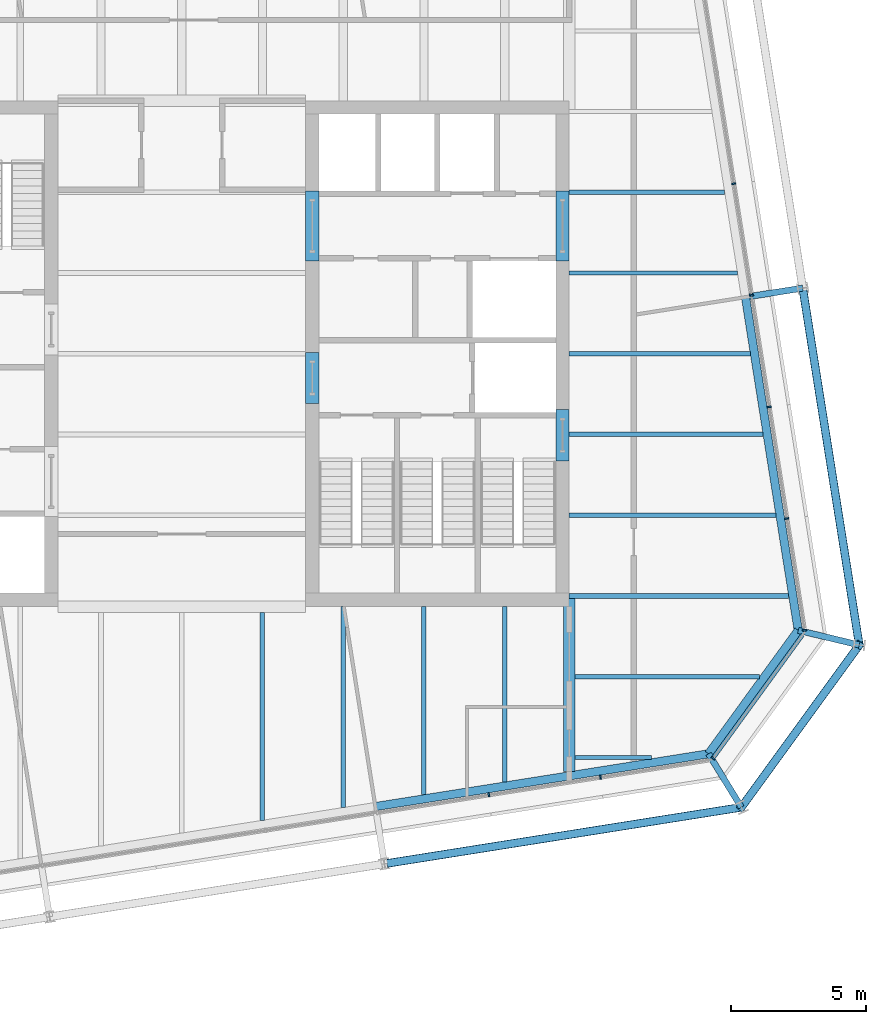
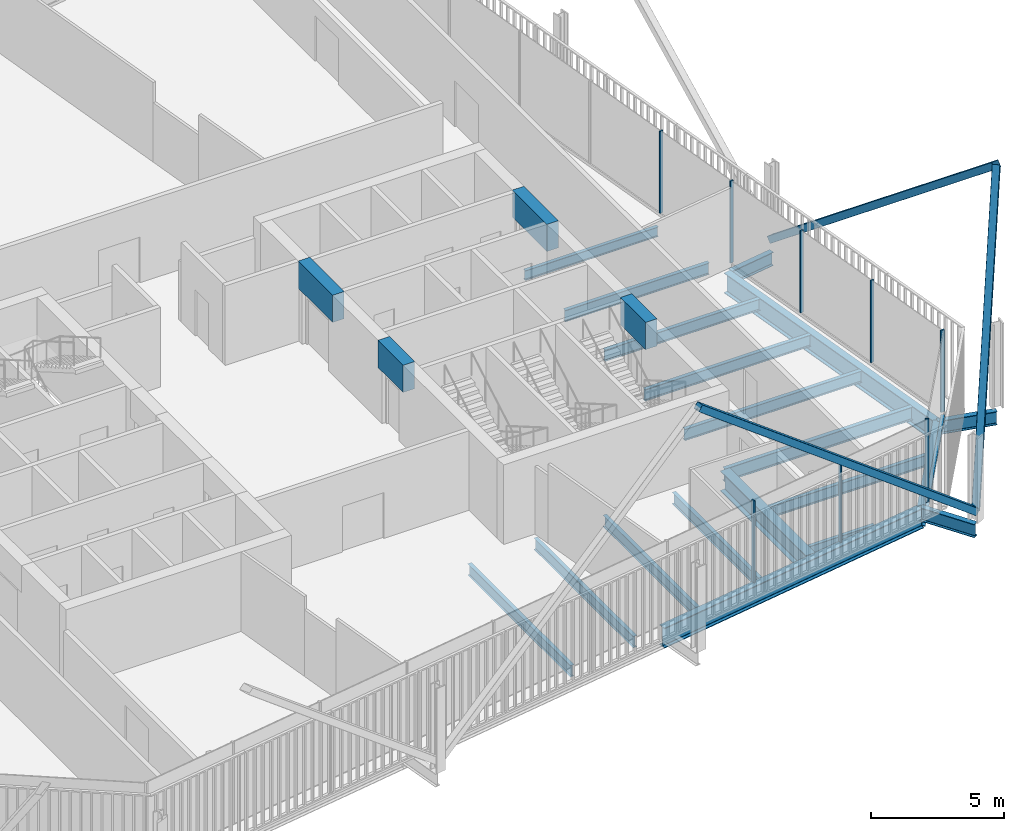
# One storey, part 9 of 21: 23 beams, 12 members, 3 elements without a shape of their own.
"""IFC4 building model written with IfcOpenShell, lengths in metres."""

from ifc_helpers import new_model, si_unit, direction, frame, origin, origin_2d, place, context, subcontext, project, spatial, rectangle, hollow_rectangle, i_section, extrude, material, layer, layer_set, material_profile, profile_set, type_object, element, aggregate, save


model = new_model("IFC4")

# Units and contexts
model_context = context("Model", 3, precision=1e-05, world=origin(), true_north=direction((0.0, 1.0)))
body_context = subcontext(model_context, "Body", "Model", "MODEL_VIEW")
ifc_project = project(units=[si_unit("LENGTHUNIT", "METRE"), si_unit("AREAUNIT", "SQUARE_METRE"), si_unit("VOLUMEUNIT", "CUBIC_METRE"), si_unit("PLANEANGLEUNIT", "RADIAN"), si_unit("MASSUNIT", "GRAM", prefix="KILO")], contexts=[model_context])

# Site, building, storey
site_placement = place(None, origin())
site = spatial("IfcSite", under=ifc_project, at=site_placement, CompositionType="ELEMENT")
building_placement = place(site_placement, origin())
building = spatial("IfcBuilding", under=site, at=building_placement, Name="Millrace Tower", CompositionType="ELEMENT")
storey_placement = place(building_placement, frame((0.0, 0.0, 235.89990234375)))
storey = spatial("IfcBuildingStorey", under=building, at=storey_placement, Name="L54", CompositionType="ELEMENT", Elevation=235.89990234375)

# Curtain wall, members
ifc_material_1 = material(Name="Aluminium and glass", Category="aluminium")
ifc_layer = layer(ifc_material_1, 0.14990234375)
ifc_layer_set = layer_set([ifc_layer], Name="Aluminium and glass")
curtain_wall_type = type_object("IfcCurtainWallType", Name="CW-1 office vision curtain wall", PredefinedType="NOTDEFINED", material=ifc_layer_set)
placement = place(storey_placement, origin())
curtain_wall_1 = element("IfcCurtainWall", 1, at=placement, inside=storey, type_object=curtain_wall_type, Name="Curtain wall D-F02 L54", PredefinedType="NOTDEFINED")
ifc_material_2 = material(Name="Aluminium", Category="aluminium")
ifc_material_profile_1 = material_profile(ifc_material_2, rectangle(XDim=0.06494140625, YDim=0.14990234375, at=origin_2d()))
ifc_profile_set_1 = profile_set([ifc_material_profile_1], Name="Aluminium")
member_type_1 = type_object("IfcMemberType", Name="CW-1 office vision curtain wall mullion", PredefinedType="MULLION", material=ifc_profile_set_1)
member_1_placement = place(storey_placement, frame((11.41259765625, -16.393310546875, 0.14013671875), z_axis=(0.0, 0.0, 1.0), x_axis=(0.987688339511, 0.156434471884, 0.0)))
member_1 = element("IfcMember", 2, at=member_1_placement, type_object=member_type_1, Name="CW1 mullion D-F02.8", PredefinedType="MULLION", context=body_context, shape_type="SweptSolid", body=[
    extrude(rectangle(XDim=0.06494140625, YDim=0.14990234375, at=origin_2d()), origin(), (0.0, 0.0, 1.0), 3.760009765625),
])
member_2_placement = place(storey_placement, frame((15.560791015625, -15.736328125, 0.14013671875), z_axis=(0.0, 0.0, 1.0), x_axis=(0.987688339511, 0.156434471884, 0.0)))
member_2 = element("IfcMember", 3, at=member_2_placement, type_object=member_type_1, Name="CW1 mullion D-F02.9", PredefinedType="MULLION", context=body_context, shape_type="SweptSolid", body=[
    extrude(rectangle(XDim=0.06494140625, YDim=0.14990234375, at=origin_2d()), origin(), (0.0, 0.0, 1.0), 3.760009765625),
])
aggregate(curtain_wall_1, [member_1, member_2])

# Curtain wall, member
curtain_wall_2 = element("IfcCurtainWall", 4, at=placement, inside=storey, type_object=curtain_wall_type, Name="Curtain wall D-F03 L54", PredefinedType="NOTDEFINED")
member_3_placement = place(storey_placement, frame((19.7451171875, -15.028076171875, 0.14013671875), z_axis=(0.0, 0.0, 1.0), x_axis=(0.587785305991, 0.809016955361, 0.0)))
member_3 = element("IfcMember", 5, at=member_3_placement, type_object=member_type_1, Name="CW1 mullion D-F03.1", PredefinedType="MULLION", context=body_context, shape_type="SweptSolid", body=[
    extrude(rectangle(XDim=0.06494140625, YDim=0.14990234375, at=origin_2d()), origin(), (0.0, 0.0, 1.0), 3.760009765625),
])

# Curtain wall, members
curtain_wall_3 = element("IfcCurtainWall", 6, at=placement, inside=storey, type_object=curtain_wall_type, Name="Curtain wall D-F04 L54", PredefinedType="NOTDEFINED")
member_4_placement = place(storey_placement, frame((23.142333984375, -10.275390625, 0.14013671875), z_axis=(0.0, 0.0, 1.0), x_axis=(-0.156434471884, 0.987688339511, 0.0)))
member_4 = element("IfcMember", 7, at=member_4_placement, type_object=member_type_1, Name="CW1 mullion D-F04.1", PredefinedType="MULLION", context=body_context, shape_type="SweptSolid", body=[
    extrude(rectangle(XDim=0.06494140625, YDim=0.14990234375, at=origin_2d()), origin(), (0.0, 0.0, 1.0), 3.760009765625),
])
member_5_placement = place(storey_placement, frame((22.4853515625, -6.127197265625, 0.14013671875), z_axis=(0.0, 0.0, 1.0), x_axis=(-0.156434471884, 0.987688339511, 0.0)))
member_5 = element("IfcMember", 8, at=member_5_placement, type_object=member_type_1, Name="CW1 mullion D-F04.2", PredefinedType="MULLION", context=body_context, shape_type="SweptSolid", body=[
    extrude(rectangle(XDim=0.06494140625, YDim=0.14990234375, at=origin_2d()), origin(), (0.0, 0.0, 1.0), 3.760009765625),
])
member_6_placement = place(storey_placement, frame((21.828369140625, -1.97900390625, 0.14013671875), z_axis=(0.0, 0.0, 1.0), x_axis=(-0.156434471884, 0.987688339511, 0.0)))
member_6 = element("IfcMember", 9, at=member_6_placement, type_object=member_type_1, Name="CW1 mullion D-F04.3", PredefinedType="MULLION", context=body_context, shape_type="SweptSolid", body=[
    extrude(rectangle(XDim=0.06494140625, YDim=0.14990234375, at=origin_2d()), origin(), (0.0, 0.0, 1.0), 3.760009765625),
])
member_7_placement = place(storey_placement, frame((21.17138671875, 2.16943359375, 0.14013671875), z_axis=(0.0, 0.0, 1.0), x_axis=(-0.156434471884, 0.987688339511, 0.0)))
member_7 = element("IfcMember", 10, at=member_7_placement, type_object=member_type_1, Name="CW1 mullion D-F04.4", PredefinedType="MULLION", context=body_context, shape_type="SweptSolid", body=[
    extrude(rectangle(XDim=0.06494140625, YDim=0.14990234375, at=origin_2d()), origin(), (0.0, 0.0, 1.0), 3.760009765625),
])
member_8_placement = place(storey_placement, frame((20.514404296875, 6.317626953125, 0.14013671875), z_axis=(0.0, 0.0, 1.0), x_axis=(-0.156434471884, 0.987688339511, 0.0)))
member_8 = element("IfcMember", 11, at=member_8_placement, type_object=member_type_1, Name="CW1 mullion D-F04.5", PredefinedType="MULLION", context=body_context, shape_type="SweptSolid", body=[
    extrude(rectangle(XDim=0.06494140625, YDim=0.14990234375, at=origin_2d()), origin(), (0.0, 0.0, 1.0), 3.760009765625),
])
aggregate(curtain_wall_3, [member_4, member_5, member_6, member_7, member_8])

# Member
ifc_material_3 = material(Name="Aluminium", Category="aluminium")
ifc_material_profile_2 = material_profile(ifc_material_3, rectangle(XDim=0.14990234375, YDim=0.139892578125, at=origin_2d()))
ifc_profile_set_2 = profile_set([ifc_material_profile_2], Name="Aluminium")
member_type_2 = type_object("IfcMemberType", Name="CW-1 office vision curtain wall transom", PredefinedType="USERDEFINED", material=ifc_profile_set_2)
member_9_placement = place(storey_placement, frame((19.78466796875, -14.973388671875, 0.070068359375), z_axis=(0.587811213399, 0.808998131891, 0.0), x_axis=(-0.808998131891, 0.587811213399, 0.0)))
member_9 = element("IfcMember", 12, at=member_9_placement, type_object=member_type_2, Name="CW1 transom D-F03.1", ObjectType="TRANSOM", PredefinedType="USERDEFINED", context=body_context, shape_type="SweptSolid", body=[
    extrude(rectangle(XDim=0.14990234375, YDim=0.139892578125, at=origin_2d()), origin(), (0.0, 0.0, 1.0), 5.598388671875),
])

aggregate(curtain_wall_2, [member_3, member_9])

# Beams
ifc_material_4 = material(Name="Concrete C60", Category="concrete")
ifc_material_profile_3 = material_profile(ifc_material_4, rectangle(XDim=0.5, YDim=1.25, at=origin_2d()))
ifc_profile_set_3 = profile_set([ifc_material_profile_3], Name="Concrete C60")
beam_type_1 = type_object("IfcBeamType", Name="Coupling beam 500 x 1250 Concrete C60, 1300 opening", PredefinedType="BEAM", material=ifc_profile_set_3)
beam_1_placement = place(storey_placement, frame((14.14990234375, -2.080078125, 3.025146484375), z_axis=(0.0, -1.0, 0.0), x_axis=(1.0, 0.0, 0.0)))
element("IfcBeam", 13, at=beam_1_placement, inside=storey, type_object=beam_type_1, Name="Coupling beam E L54", PredefinedType="BEAM", context=body_context, shape_type="SweptSolid", body=[
    extrude(rectangle(XDim=0.5, YDim=1.25, at=origin_2d()), origin(), (0.0, 0.0, 1.0), 1.89990234375),
])
beam_2_placement = place(storey_placement, frame((4.85009765625, 0.050048828125, 3.025146484375), z_axis=(0.0, -1.0, 0.0), x_axis=(1.0, 0.0, 0.0)))
element("IfcBeam", 14, at=beam_2_placement, inside=storey, type_object=beam_type_1, Name="Coupling beam E L54", PredefinedType="BEAM", context=body_context, shape_type="SweptSolid", body=[
    extrude(rectangle(XDim=0.5, YDim=1.25, at=origin_2d()), origin(), (0.0, 0.0, 1.0), 1.900146484375),
])
ifc_material_5 = material(Name="Concrete C60", Category="concrete")
ifc_material_profile_4 = material_profile(ifc_material_5, rectangle(XDim=0.5, YDim=1.25, at=origin_2d()))
ifc_profile_set_4 = profile_set([ifc_material_profile_4], Name="Concrete C60")
beam_type_2 = type_object("IfcBeamType", Name="Coupling beam 500 x 1250 Concrete C60, 2000 opening", PredefinedType="BEAM", material=ifc_profile_set_4)
for number, where, z_axis, x_axis, name in (
    (15, (14.14990234375, 6.050048828125, 3.025146484375), (0.0, -1.0, 0.0), (1.0, 0.0, 0.0), "Coupling beam E L54"),
    (16, (4.85009765625, 6.050048828125, 3.025146484375), (0.0, -1.0, 0.0), (1.0, 0.0, 0.0), "Coupling beam E L54"),
):
    element("IfcBeam", number, at=place(storey_placement, frame(where, z_axis=z_axis, x_axis=x_axis)), inside=storey, type_object=beam_type_2, Name=name, PredefinedType="BEAM", context=body_context, shape_type="SweptSolid", body=[
        extrude(rectangle(XDim=0.5, YDim=1.25, at=origin_2d()), origin(), (0.0, 0.0, 1.0), 2.60009765625),
    ])

# Members
ifc_material_6 = material(Name="Steel ASTM A500 Grade C", Category="steel")
ifc_material_profile_5 = material_profile(ifc_material_6, hollow_rectangle(XDim=0.3046875, YDim=0.3046875, WallThickness=0.009521484375, InnerFilletRadius=0.004638671875, OuterFilletRadius=0.014404296875, at=origin_2d()))
ifc_profile_set_5 = profile_set([ifc_material_profile_5], Name="Steel ASTM A500 Grade C")
member_type_3 = type_object("IfcMemberType", Name="Exoskeleton brace HSS12x12x3/8", PredefinedType="BRACE", material=ifc_profile_set_5)
member_10_placement = place(storey_placement, frame((20.79638671875, -16.85595703125, 0.400146484375), z_axis=(-0.772455331995, -0.122353534805, 0.623171222533), x_axis=(0.156445228811, -0.987686635721, 0.0)))
element("IfcMember", 17, at=member_10_placement, inside=storey, type_object=member_type_3, Name="BRC-D-L54-04", PredefinedType="BRACE", context=body_context, shape_type="SweptSolid", body=[
    extrude(hollow_rectangle(XDim=0.3046875, YDim=0.3046875, WallThickness=0.009521484375, InnerFilletRadius=0.004638671875, OuterFilletRadius=0.014404296875, at=origin_2d()), origin(), (0.0, 0.0, 1.0), 17.170166015625),
])
member_11_placement = place(storey_placement, frame((20.79638671875, -16.85595703125, 0.400146484375), z_axis=(0.336023439139, 0.462483873223, 0.820485780107), x_axis=(-0.809009310944, 0.587795827483, 0.0)))
element("IfcMember", 18, at=member_11_placement, inside=storey, type_object=member_type_3, Name="BRC-D-L54-05", PredefinedType="BRACE", context=body_context, shape_type="SweptSolid", body=[
    extrude(hollow_rectangle(XDim=0.3046875, YDim=0.3046875, WallThickness=0.009521484375, InnerFilletRadius=0.004638671875, OuterFilletRadius=0.014404296875, at=origin_2d()), origin(), (0.0, 0.0, 1.0), 13.041015625),
])
member_12_placement = place(storey_placement, frame((23.07763671875, 2.4384765625, 0.400146484375), z_axis=(0.122353534805, -0.772455331995, 0.623171222533), x_axis=(0.987686635721, 0.156445228811, 0.0)))
element("IfcMember", 19, at=member_12_placement, inside=storey, type_object=member_type_3, Name="BRC-D-L54-06", PredefinedType="BRACE", context=body_context, shape_type="SweptSolid", body=[
    extrude(hollow_rectangle(XDim=0.3046875, YDim=0.3046875, WallThickness=0.009521484375, InnerFilletRadius=0.004638671875, OuterFilletRadius=0.014404296875, at=origin_2d()), origin(), (0.0, 0.0, 1.0), 17.170166015625),
])

# Beams
ifc_material_7 = material(Name="Steel ASTM A992 Grade 50", Category="steel")
ifc_material_profile_6 = material_profile(ifc_material_7, i_section(OverallWidth=0.15234375, OverallDepth=0.449462890625, WebThickness=0.007568359375, FlangeThickness=0.0107421875, FilletRadius=0.01025390625, at=origin_2d()))
ifc_profile_set_6 = profile_set([ifc_material_profile_6], Name="Steel ASTM A992 Grade 50")
beam_type_3 = type_object("IfcBeamType", Name="Floor beam W18x35", PredefinedType="JOIST", material=ifc_profile_set_6)
beam_3_placement = place(storey_placement, frame((14.39990234375, 6.0, -0.384765625), z_axis=(1.0, 0.0, 0.0), x_axis=(0.0, 1.0, 0.0)))
element("IfcBeam", 20, at=beam_3_placement, inside=storey, type_object=beam_type_3, Name="BM-D-L54-S1-S022", PredefinedType="JOIST", context=body_context, shape_type="SweptSolid", body=[
    extrude(i_section(OverallWidth=0.15234375, OverallDepth=0.449462890625, WebThickness=0.007568359375, FlangeThickness=0.0107421875, FilletRadius=0.01025390625, at=origin_2d()), origin(), (0.0, 0.0, 1.0), 5.777587890625),
])
beam_4_placement = place(storey_placement, frame((14.609619140625, -15.0, -0.384765625), z_axis=(1.0, 0.0, 0.0), x_axis=(0.0, 1.0, 0.0)))
element("IfcBeam", 21, at=beam_4_placement, inside=storey, type_object=beam_type_3, Name="BM-D-L54-S1-S003", PredefinedType="JOIST", context=body_context, shape_type="SweptSolid", body=[
    extrude(i_section(OverallWidth=0.15234375, OverallDepth=0.449462890625, WebThickness=0.007568359375, FlangeThickness=0.0107421875, FilletRadius=0.01025390625, at=origin_2d()), origin(), (0.0, 0.0, 1.0), 2.839599609375),
])
ifc_material_8 = material(Name="Steel ASTM A992 Grade 50", Category="steel")
ifc_material_profile_7 = material_profile(ifc_material_8, i_section(OverallWidth=0.1650390625, OverallDepth=0.52587890625, WebThickness=0.0087890625, FlangeThickness=0.011474609375, FilletRadius=0.0126953125, at=origin_2d()))
ifc_profile_set_7 = profile_set([ifc_material_profile_7], Name="Steel ASTM A992 Grade 50")
beam_type_4 = type_object("IfcBeamType", Name="Floor beam W21x44", PredefinedType="JOIST", material=ifc_profile_set_7)
beam_5_placement = place(storey_placement, frame((14.609619140625, -12.0, -0.4228515625), z_axis=(1.0, 0.0, 0.0), x_axis=(0.0, 1.0, 0.0)))
element("IfcBeam", 22, at=beam_5_placement, inside=storey, type_object=beam_type_4, Name="BM-D-L54-S1-S005", PredefinedType="JOIST", context=body_context, shape_type="SweptSolid", body=[
    extrude(i_section(OverallWidth=0.1650390625, OverallDepth=0.52587890625, WebThickness=0.0087890625, FlangeThickness=0.011474609375, FilletRadius=0.0126953125, at=origin_2d()), origin(), (0.0, 0.0, 1.0), 6.86279296875),
])
beam_6_placement = place(storey_placement, frame((14.39990234375, -6.0, -0.4228515625), z_axis=(1.0, 0.0, 0.0), x_axis=(0.0, 1.0, 0.0)))
element("IfcBeam", 23, at=beam_6_placement, inside=storey, type_object=beam_type_4, Name="BM-D-L54-S1-S010", PredefinedType="JOIST", context=body_context, shape_type="SweptSolid", body=[
    extrude(i_section(OverallWidth=0.1650390625, OverallDepth=0.52587890625, WebThickness=0.0087890625, FlangeThickness=0.011474609375, FilletRadius=0.0126953125, at=origin_2d()), origin(), (0.0, 0.0, 1.0), 7.67822265625),
])
beam_7_placement = place(storey_placement, frame((14.39990234375, -3.0, -0.4228515625), z_axis=(1.0, 0.0, 0.0), x_axis=(0.0, 1.0, 0.0)))
element("IfcBeam", 24, at=beam_7_placement, inside=storey, type_object=beam_type_4, Name="BM-D-L54-S1-S013", PredefinedType="JOIST", context=body_context, shape_type="SweptSolid", body=[
    extrude(i_section(OverallWidth=0.1650390625, OverallDepth=0.52587890625, WebThickness=0.0087890625, FlangeThickness=0.011474609375, FilletRadius=0.0126953125, at=origin_2d()), origin(), (0.0, 0.0, 1.0), 7.203125),
])
beam_8_placement = place(storey_placement, frame((14.39990234375, 0.0, -0.4228515625), z_axis=(1.0, 0.0, 0.0), x_axis=(0.0, 1.0, 0.0)))
element("IfcBeam", 25, at=beam_8_placement, inside=storey, type_object=beam_type_4, Name="BM-D-L54-S1-S016", PredefinedType="JOIST", context=body_context, shape_type="SweptSolid", body=[
    extrude(i_section(OverallWidth=0.1650390625, OverallDepth=0.52587890625, WebThickness=0.0087890625, FlangeThickness=0.011474609375, FilletRadius=0.0126953125, at=origin_2d()), origin(), (0.0, 0.0, 1.0), 6.72802734375),
])
beam_9_placement = place(storey_placement, frame((14.39990234375, 3.0, -0.4228515625), z_axis=(1.0, 0.0, 0.0), x_axis=(0.0, 1.0, 0.0)))
element("IfcBeam", 26, at=beam_9_placement, inside=storey, type_object=beam_type_4, Name="BM-D-L54-S1-S019", PredefinedType="JOIST", context=body_context, shape_type="SweptSolid", body=[
    extrude(i_section(OverallWidth=0.1650390625, OverallDepth=0.52587890625, WebThickness=0.0087890625, FlangeThickness=0.011474609375, FilletRadius=0.0126953125, at=origin_2d()), origin(), (0.0, 0.0, 1.0), 6.252685546875),
])
beam_10_placement = place(storey_placement, frame((3.0, -17.338623046875, -0.4228515625), z_axis=(0.0, 1.0, 0.0), x_axis=(-1.0, 0.0, 0.0)))
element("IfcBeam", 27, at=beam_10_placement, inside=storey, type_object=beam_type_4, Name="BM-D-L54-S1-S047", PredefinedType="JOIST", context=body_context, shape_type="SweptSolid", body=[
    extrude(i_section(OverallWidth=0.1650390625, OverallDepth=0.52587890625, WebThickness=0.0087890625, FlangeThickness=0.011474609375, FilletRadius=0.0126953125, at=origin_2d()), origin(), (0.0, 0.0, 1.0), 7.72900390625),
])
beam_11_placement = place(storey_placement, frame((6.0, -16.863525390625, -0.4228515625), z_axis=(0.0, 1.0, 0.0), x_axis=(-1.0, 0.0, 0.0)))
element("IfcBeam", 28, at=beam_11_placement, inside=storey, type_object=beam_type_4, Name="BM-D-L54-S1-S049", PredefinedType="JOIST", context=body_context, shape_type="SweptSolid", body=[
    extrude(i_section(OverallWidth=0.1650390625, OverallDepth=0.52587890625, WebThickness=0.0087890625, FlangeThickness=0.011474609375, FilletRadius=0.0126953125, at=origin_2d()), origin(), (0.0, 0.0, 1.0), 7.463623046875),
])
beam_12_placement = place(storey_placement, frame((9.0, -16.38818359375, -0.4228515625), z_axis=(0.0, 1.0, 0.0), x_axis=(-1.0, 0.0, 0.0)))
element("IfcBeam", 29, at=beam_12_placement, inside=storey, type_object=beam_type_4, Name="BM-D-L54-S1-S051", PredefinedType="JOIST", context=body_context, shape_type="SweptSolid", body=[
    extrude(i_section(OverallWidth=0.1650390625, OverallDepth=0.52587890625, WebThickness=0.0087890625, FlangeThickness=0.011474609375, FilletRadius=0.0126953125, at=origin_2d()), origin(), (0.0, 0.0, 1.0), 6.98828125),
])
beam_13_placement = place(storey_placement, frame((12.0, -15.9130859375, -0.4228515625), z_axis=(0.0, 1.0, 0.0), x_axis=(-1.0, 0.0, 0.0)))
element("IfcBeam", 30, at=beam_13_placement, inside=storey, type_object=beam_type_4, Name="BM-D-L54-S1-S053", PredefinedType="JOIST", context=body_context, shape_type="SweptSolid", body=[
    extrude(i_section(OverallWidth=0.1650390625, OverallDepth=0.52587890625, WebThickness=0.0087890625, FlangeThickness=0.011474609375, FilletRadius=0.0126953125, at=origin_2d()), origin(), (0.0, 0.0, 1.0), 6.51318359375),
])
ifc_material_9 = material(Name="Steel ASTM A992 Grade 50", Category="steel")
ifc_material_profile_8 = material_profile(ifc_material_9, i_section(OverallWidth=0.177978515625, OverallDepth=0.599365234375, WebThickness=0.010009765625, FlangeThickness=0.012939453125, FilletRadius=0.012939453125, at=origin_2d()))
ifc_profile_set_8 = profile_set([ifc_material_profile_8], Name="Steel ASTM A992 Grade 50")
beam_type_5 = type_object("IfcBeamType", Name="Floor beam W24x55", PredefinedType="JOIST", material=ifc_profile_set_8)
beam_14_placement = place(storey_placement, frame((14.39990234375, -9.0, -0.459716796875), z_axis=(1.0, 0.0, 0.0), x_axis=(0.0, 1.0, 0.0)))
element("IfcBeam", 31, at=beam_14_placement, inside=storey, type_object=beam_type_5, Name="BM-D-L54-S1-S007", PredefinedType="JOIST", context=body_context, shape_type="SweptSolid", body=[
    extrude(i_section(OverallWidth=0.177978515625, OverallDepth=0.599365234375, WebThickness=0.010009765625, FlangeThickness=0.012939453125, FilletRadius=0.012939453125, at=origin_2d()), origin(), (0.0, 0.0, 1.0), 8.1533203125),
])
ifc_material_10 = material(Name="Steel ASTM A992 Grade 50", Category="steel")
ifc_material_profile_9 = material_profile(ifc_material_10, i_section(OverallWidth=0.419189453125, OverallDepth=0.927001953125, WebThickness=0.019287109375, FlangeThickness=0.031982421875, FilletRadius=0.024169921875, at=origin_2d()))
ifc_profile_set_9 = profile_set([ifc_material_profile_9], Name="Steel ASTM A992 Grade 50")
beam_type_6 = type_object("IfcBeamType", Name="Girder short span W36x231", PredefinedType="BEAM", material=ifc_profile_set_9)
beam_15_placement = place(storey_placement, frame((14.39990234375, -15.52490234375, -0.62353515625), z_axis=(0.0, 1.0, 0.0), x_axis=(-1.0, 0.0, 0.0)))
element("IfcBeam", 32, at=beam_15_placement, inside=storey, type_object=beam_type_6, Name="BM-D-L54-S1-G057", PredefinedType="BEAM", context=body_context, shape_type="SweptSolid", body=[
    extrude(i_section(OverallWidth=0.419189453125, OverallDepth=0.927001953125, WebThickness=0.019287109375, FlangeThickness=0.031982421875, FilletRadius=0.024169921875, at=origin_2d()), origin(), (0.0, 0.0, 1.0), 6.432861328125),
])
ifc_material_11 = material(Name="Steel ASTM A992 Grade 50", Category="steel")
ifc_material_profile_10 = material_profile(ifc_material_11, i_section(OverallWidth=0.23046875, OverallDepth=0.6171875, WebThickness=0.01318359375, FlangeThickness=0.022216796875, FilletRadius=0.012939453125, at=origin_2d()))
ifc_profile_set_10 = profile_set([ifc_material_profile_10], Name="Steel ASTM A992 Grade 50")
beam_type_7 = type_object("IfcBeamType", Name="Link beam W24x94", PredefinedType="BEAM", material=ifc_profile_set_10)
beam_16_placement = place(storey_placement, frame((21.102294921875, 2.12548828125, -0.468505859375), z_axis=(0.987678691416, 0.156495375404, 0.0), x_axis=(-0.156495375404, 0.987678691416, 0.0)))
element("IfcBeam", 33, at=beam_16_placement, inside=storey, type_object=beam_type_7, Name="LNK-D-L54-S1-11", PredefinedType="BEAM", context=body_context, shape_type="SweptSolid", body=[
    extrude(i_section(OverallWidth=0.23046875, OverallDepth=0.6171875, WebThickness=0.01318359375, FlangeThickness=0.022216796875, FilletRadius=0.012939453125, at=origin_2d()), origin(), (0.0, 0.0, 1.0), 2.0),
])
beam_17_placement = place(storey_placement, frame((22.91162109375, -10.280517578125, -0.468505859375), z_axis=(0.972373041068, -0.233432364948, 0.0), x_axis=(0.233432364948, 0.972373041068, 0.0)))
element("IfcBeam", 34, at=beam_17_placement, inside=storey, type_object=beam_type_7, Name="LNK-D-L54-S1-12", PredefinedType="BEAM", context=body_context, shape_type="SweptSolid", body=[
    extrude(i_section(OverallWidth=0.23046875, OverallDepth=0.6171875, WebThickness=0.01318359375, FlangeThickness=0.022216796875, FilletRadius=0.012939453125, at=origin_2d()), origin(), (0.0, 0.0, 1.0), 2.331298828125),
])
beam_18_placement = place(storey_placement, frame((19.578369140625, -14.868408203125, -0.468505859375), z_axis=(0.522512938711, -0.852631355792, 0.0), x_axis=(0.852631355792, 0.522512938711, 0.0)))
element("IfcBeam", 35, at=beam_18_placement, inside=storey, type_object=beam_type_7, Name="LNK-D-L54-S1-13", PredefinedType="BEAM", context=body_context, shape_type="SweptSolid", body=[
    extrude(i_section(OverallWidth=0.23046875, OverallDepth=0.6171875, WebThickness=0.01318359375, FlangeThickness=0.022216796875, FilletRadius=0.012939453125, at=origin_2d()), origin(), (0.0, 0.0, 1.0), 2.3310546875),
])
ifc_material_12 = material(Name="Steel ASTM A992 Grade 50", Category="steel")
ifc_material_profile_11 = material_profile(ifc_material_12, i_section(OverallWidth=0.307373046875, OverallDepth=0.927001953125, WebThickness=0.01953125, FlangeThickness=0.031982421875, FilletRadius=0.01904296875, at=origin_2d()))
ifc_profile_set_11 = profile_set([ifc_material_profile_11], Name="Steel ASTM A992 Grade 50")
beam_type_8 = type_object("IfcBeamType", Name="Ring beam medium span W36x194", PredefinedType="SPANDREL", material=ifc_profile_set_11)
for number, where, z_axis, x_axis, name in (
    (36, (20.95068359375, 2.1015625, -0.62353515625), (0.156419577072, -0.987690698503, 0.0), (0.987690698503, 0.156419577072, 0.0), "RNG-D-L54-S1-11"),
    (37, (19.578369140625, -14.868408203125, -0.62353515625), (-0.987687689625, -0.156438575049, 0.0), (0.156438575049, -0.987687689625, 0.0), "RNG-D-L54-S1-13"),
):
    element("IfcBeam", number, at=place(storey_placement, frame(where, z_axis=z_axis, x_axis=x_axis)), inside=storey, type_object=beam_type_8, Name=name, PredefinedType="SPANDREL", context=body_context, shape_type="SweptSolid", body=[
        extrude(i_section(OverallWidth=0.307373046875, OverallDepth=0.927001953125, WebThickness=0.01953125, FlangeThickness=0.031982421875, FilletRadius=0.01904296875, at=origin_2d()), origin(), (0.0, 0.0, 1.0), 12.536376953125),
    ])
ifc_material_13 = material(Name="Steel ASTM A992 Grade 50", Category="steel")
ifc_material_profile_12 = material_profile(ifc_material_13, i_section(OverallWidth=0.307373046875, OverallDepth=0.927001953125, WebThickness=0.01953125, FlangeThickness=0.031982421875, FilletRadius=0.01904296875, at=origin_2d()))
ifc_profile_set_12 = profile_set([ifc_material_profile_12], Name="Steel ASTM A992 Grade 50")
beam_type_9 = type_object("IfcBeamType", Name="Ring beam short span W36x194", PredefinedType="SPANDREL", material=ifc_profile_set_12)
beam_19_placement = place(storey_placement, frame((22.91162109375, -10.280517578125, -0.62353515625), z_axis=(-0.587779977844, -0.80902082646, 0.0), x_axis=(0.80902082646, -0.587779977844, 0.0)))
element("IfcBeam", 38, at=beam_19_placement, inside=storey, type_object=beam_type_9, Name="RNG-D-L54-S1-12", PredefinedType="SPANDREL", context=body_context, shape_type="SweptSolid", body=[
    extrude(i_section(OverallWidth=0.307373046875, OverallDepth=0.927001953125, WebThickness=0.01953125, FlangeThickness=0.031982421875, FilletRadius=0.01904296875, at=origin_2d()), origin(), (0.0, 0.0, 1.0), 5.6708984375),
])

save(model, "model.ifc")
